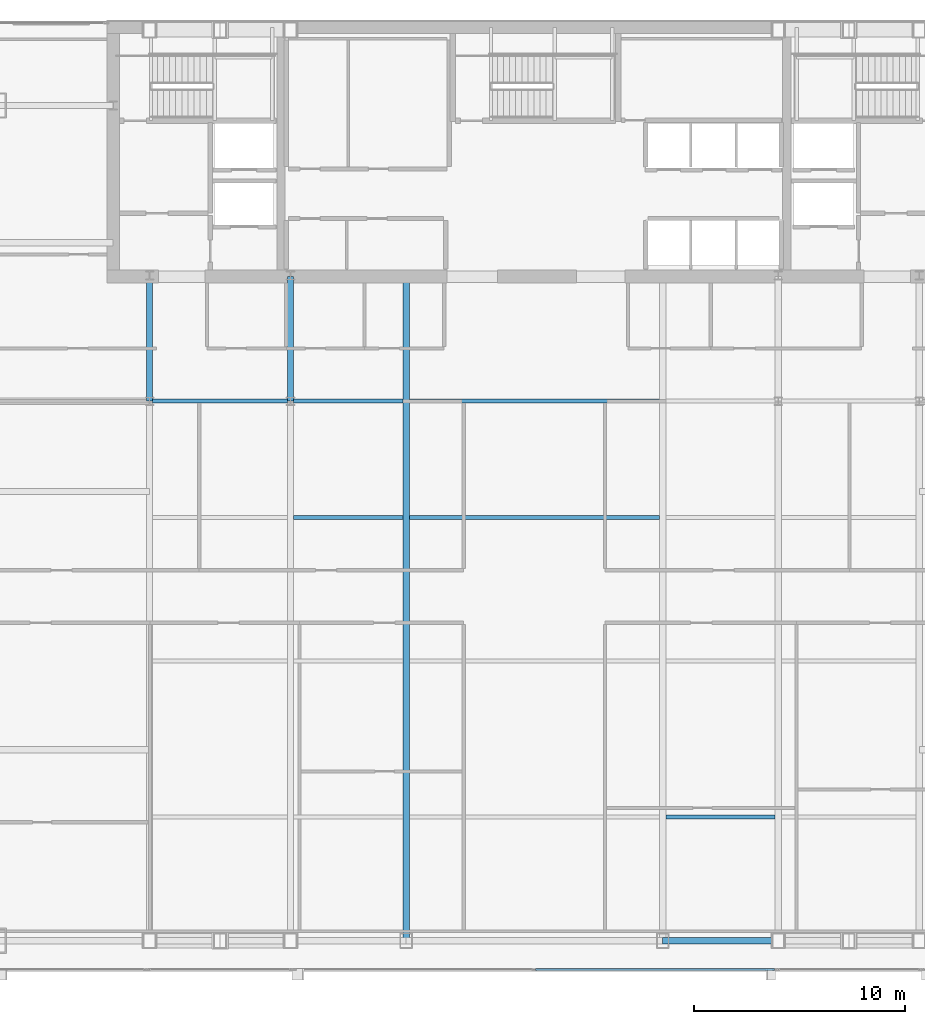
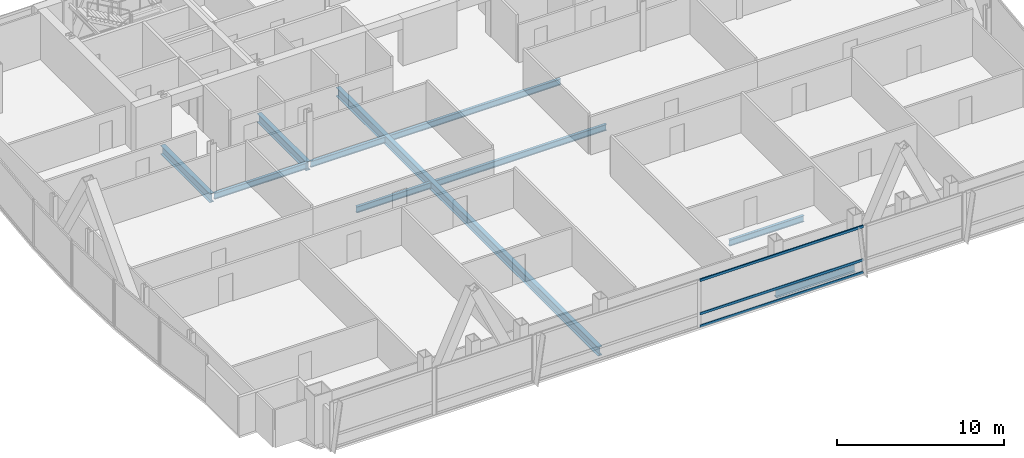
# One storey, part 13 of 32: 10 beams, 3 members, 1 element without a shape of its own.
"""IFC4 building model written with IfcOpenShell, lengths in metres."""

from ifc_helpers import new_model, si_unit, direction, frame, origin, origin_2d, place, context, subcontext, project, spatial, hollow_rectangle, i_section, extrude, material, material_profile, profile_set, type_object, element, aggregate, save


model = new_model("IFC4")

# Units and contexts
model_context = context("Model", 3, precision=1e-05, world=origin(), true_north=direction((0.0, 1.0)))
body_context = subcontext(model_context, "Body", "Model", "MODEL_VIEW")
ifc_project = project(units=[si_unit("LENGTHUNIT", "METRE"), si_unit("AREAUNIT", "SQUARE_METRE"), si_unit("VOLUMEUNIT", "CUBIC_METRE"), si_unit("PLANEANGLEUNIT", "RADIAN"), si_unit("MASSUNIT", "GRAM", prefix="KILO")], contexts=[model_context])

# Site, building, storey
site_placement = place(None, origin())
site = spatial("IfcSite", under=ifc_project, at=site_placement, CompositionType="ELEMENT")
building_placement = place(site_placement, origin())
building = spatial("IfcBuilding", under=site, at=building_placement, Name="Khoronbel Lancet Exchange", CompositionType="ELEMENT")
storey_placement = place(building_placement, frame((0.0, 0.0, 231.800048828125)))
storey = spatial("IfcBuildingStorey", under=building, at=storey_placement, Name="L59", CompositionType="ELEMENT", Elevation=231.800048828125)

# Beams
ifc_material_1 = material(Name="Steel S355", Category="steel")
ifc_material_profile_1 = material_profile(ifc_material_1, i_section(OverallWidth=0.300048828125, OverallDepth=0.64990234375, WebThickness=0.01611328125, FlangeThickness=0.031005859375, at=origin_2d()), Name="HEB 650")
ifc_profile_set_1 = profile_set([ifc_material_profile_1], Name="Steel S355")
beam_type_1 = type_object("IfcBeamType", Name="BM-BG4", PredefinedType="BEAM", material=ifc_profile_set_1)
for number, where, z_axis, x_axis, name in (
    (1, (18.22509765625, 35.699951171875, -0.485107421875), (0.0, 1.0, 0.0), (-1.0, 0.0, 0.0), "Level L59 spine tie girder GN1"),
    (2, (24.89990234375, 35.699951171875, -0.485107421875), (0.0, 1.0, 0.0), (-1.0, 0.0, 0.0), "Level L59 spine tie girder GN2"),
):
    element("IfcBeam", number, at=place(storey_placement, frame(where, z_axis=z_axis, x_axis=x_axis)), inside=storey, type_object=beam_type_1, Name=name, PredefinedType="BEAM", context=body_context, shape_type="SweptSolid", body=[
        extrude(i_section(OverallWidth=0.300048828125, OverallDepth=0.64990234375, WebThickness=0.01611328125, FlangeThickness=0.031005859375, at=origin_2d()), origin(), (0.0, 0.0, 1.0), 5.900146484375),
    ])
beam_1_placement = place(storey_placement, frame((30.375, 10.14990234375, -0.485107421875), z_axis=(0.0, 1.0, 0.0), x_axis=(-1.0, 0.0, 0.0)))
element("IfcBeam", 3, at=beam_1_placement, inside=storey, type_object=beam_type_1, Name="Level L59 primary floor girder G3", PredefinedType="BEAM", context=body_context, shape_type="SweptSolid", body=[
    extrude(i_section(OverallWidth=0.300048828125, OverallDepth=0.64990234375, WebThickness=0.01611328125, FlangeThickness=0.031005859375, at=origin_2d()), origin(), (0.0, 0.0, 1.0), 31.4501953125),
])
ifc_material_profile_2 = material_profile(ifc_material_1, i_section(OverallWidth=0.18994140625, OverallDepth=0.449951171875, WebThickness=0.009521484375, FlangeThickness=0.0146484375, at=origin_2d()), Name="IPE 450")
ifc_profile_set_2 = profile_set([ifc_material_profile_2], Name="Steel S355")
beam_type_2 = type_object("IfcBeamType", Name="BM-BJ4", PredefinedType="JOIST", material=ifc_profile_set_2)
for number, where, z_axis, x_axis, name in (
    (4, (42.675048828125, 16.0, -0.385009765625), (1.0, 0.0, 0.0), (0.0, 1.0, 0.0), "Level L59 secondary composite joist J04"),
    (5, (25.050048828125, 30.199951171875, -0.385009765625), (1.0, 0.0, 0.0), (0.0, 1.0, 0.0), "Level L59 secondary composite joist J12"),
):
    element("IfcBeam", number, at=place(storey_placement, frame(where, z_axis=z_axis, x_axis=x_axis)), inside=storey, type_object=beam_type_2, Name=name, PredefinedType="JOIST", context=body_context, shape_type="SweptSolid", body=[
        extrude(i_section(OverallWidth=0.18994140625, OverallDepth=0.449951171875, WebThickness=0.009521484375, FlangeThickness=0.0146484375, at=origin_2d()), origin(), (0.0, 0.0, 1.0), 5.175048828125),
    ])
beam_2_placement = place(storey_placement, frame((30.52490234375, 30.199951171875, -0.385009765625), z_axis=(1.0, 0.0, 0.0), x_axis=(0.0, 1.0, 0.0)))
element("IfcBeam", 6, at=beam_2_placement, inside=storey, type_object=beam_type_2, Name="Level L59 secondary composite joist J13", PredefinedType="JOIST", context=body_context, shape_type="SweptSolid", body=[
    extrude(i_section(OverallWidth=0.18994140625, OverallDepth=0.449951171875, WebThickness=0.009521484375, FlangeThickness=0.0146484375, at=origin_2d()), origin(), (0.0, 0.0, 1.0), 11.85009765625),
])
beam_3_placement = place(storey_placement, frame((18.375, 35.699951171875, -0.385009765625), z_axis=(1.0, 0.0, 0.0), x_axis=(0.0, 1.0, 0.0)))
element("IfcBeam", 7, at=beam_3_placement, inside=storey, type_object=beam_type_2, Name="Level L59 secondary composite joist J16", PredefinedType="JOIST", context=body_context, shape_type="SweptSolid", body=[
    extrude(i_section(OverallWidth=0.18994140625, OverallDepth=0.449951171875, WebThickness=0.009521484375, FlangeThickness=0.0146484375, at=origin_2d()), origin(), (0.0, 0.0, 1.0), 6.375),
])
beam_4_placement = place(storey_placement, frame((25.050048828125, 35.699951171875, -0.385009765625), z_axis=(1.0, 0.0, 0.0), x_axis=(0.0, 1.0, 0.0)))
element("IfcBeam", 8, at=beam_4_placement, inside=storey, type_object=beam_type_2, Name="Level L59 secondary composite joist J17", PredefinedType="JOIST", context=body_context, shape_type="SweptSolid", body=[
    extrude(i_section(OverallWidth=0.18994140625, OverallDepth=0.449951171875, WebThickness=0.009521484375, FlangeThickness=0.0146484375, at=origin_2d()), origin(), (0.0, 0.0, 1.0), 5.175048828125),
])
beam_5_placement = place(storey_placement, frame((30.52490234375, 35.699951171875, -0.385009765625), z_axis=(1.0, 0.0, 0.0), x_axis=(0.0, 1.0, 0.0)))
element("IfcBeam", 9, at=beam_5_placement, inside=storey, type_object=beam_type_2, Name="Level L59 secondary composite joist J18", PredefinedType="JOIST", context=body_context, shape_type="SweptSolid", body=[
    extrude(i_section(OverallWidth=0.18994140625, OverallDepth=0.449951171875, WebThickness=0.009521484375, FlangeThickness=0.0146484375, at=origin_2d()), origin(), (0.0, 0.0, 1.0), 11.85009765625),
])
ifc_material_profile_3 = material_profile(ifc_material_1, i_section(OverallWidth=0.300048828125, OverallDepth=0.60009765625, WebThickness=0.015380859375, FlangeThickness=0.030029296875, at=origin_2d()), Name="HEB 600")
ifc_profile_set_3 = profile_set([ifc_material_profile_3], Name="Steel S355")
beam_type_3 = type_object("IfcBeamType", Name="BM-BSP2", PredefinedType="SPANDREL", material=ifc_profile_set_3)
beam_6_placement = place(storey_placement, frame((42.52490234375, 10.14990234375, -0.4599609375), z_axis=(1.0, 0.0, 0.0), x_axis=(0.0, 1.0, 0.0)))
element("IfcBeam", 10, at=beam_6_placement, inside=storey, type_object=beam_type_3, Name="Level L59 perimeter spandrel beam SP06", PredefinedType="SPANDREL", context=body_context, shape_type="SweptSolid", body=[
    extrude(i_section(OverallWidth=0.300048828125, OverallDepth=0.60009765625, WebThickness=0.015380859375, FlangeThickness=0.030029296875, at=origin_2d()), origin(), (0.0, 0.0, 1.0), 5.47509765625),
])

# Curtain wall, members
ifc_material_2 = material(Name="Low-E Solar Control Insulating Glass", Category="glass")
curtain_wall_type = type_object("IfcCurtainWallType", Name="CW-3", PredefinedType="NOTDEFINED", material=ifc_material_2)
curtain_wall_placement = place(storey_placement, origin())
curtain_wall = element("IfcCurtainWall", 11, at=curtain_wall_placement, inside=storey, type_object=curtain_wall_type, Name="Unitised curtain wall CW-L59-SCV", PredefinedType="NOTDEFINED")
ifc_material_3 = material(Name="Bronze-Anodised Aluminium 6063-T6", Category="aluminium")
ifc_material_profile_4 = material_profile(ifc_material_3, hollow_rectangle(XDim=0.0849609375, YDim=0.179931640625, WallThickness=0.0048828125, at=origin_2d()), Name="ALU TRANSOM 85x180")
ifc_profile_set_4 = profile_set([ifc_material_profile_4], Name="Bronze-Anodised Aluminium 6063-T6")
member_type = type_object("IfcMemberType", Name="MEM-CWT1", PredefinedType="USERDEFINED", material=ifc_profile_set_4)
member_1_placement = place(storey_placement, frame((36.492431640625, 8.7900390625, 0.04248046875), z_axis=(1.0, 0.0, 0.0), x_axis=(0.0, 1.0, 0.0)))
member_1 = element("IfcMember", 12, at=member_1_placement, type_object=member_type, Name="CW3 transom 2.1", ObjectType="TRANSOM", PredefinedType="USERDEFINED", context=body_context, shape_type="SweptSolid", body=[
    extrude(hollow_rectangle(XDim=0.0849609375, YDim=0.179931640625, WallThickness=0.0048828125, at=origin_2d()), origin(), (0.0, 0.0, 1.0), 11.322509765625),
])
member_2_placement = place(storey_placement, frame((36.492431640625, 8.7900390625, 0.949951171875), z_axis=(1.0, 0.0, 0.0), x_axis=(0.0, 1.0, 0.0)))
member_2 = element("IfcMember", 13, at=member_2_placement, type_object=member_type, Name="CW3 transom 2.2", ObjectType="TRANSOM", PredefinedType="USERDEFINED", context=body_context, shape_type="SweptSolid", body=[
    extrude(hollow_rectangle(XDim=0.0849609375, YDim=0.179931640625, WallThickness=0.0048828125, at=origin_2d()), origin(), (0.0, 0.0, 1.0), 11.322509765625),
])
member_3_placement = place(storey_placement, frame((36.492431640625, 8.7900390625, 3.3974609375), z_axis=(1.0, 0.0, 0.0), x_axis=(0.0, 1.0, 0.0)))
member_3 = element("IfcMember", 14, at=member_3_placement, type_object=member_type, Name="CW3 transom 2.3", ObjectType="TRANSOM", PredefinedType="USERDEFINED", context=body_context, shape_type="SweptSolid", body=[
    extrude(hollow_rectangle(XDim=0.0849609375, YDim=0.179931640625, WallThickness=0.0048828125, at=origin_2d()), origin(), (0.0, 0.0, 1.0), 11.322509765625),
])
aggregate(curtain_wall, [member_1, member_2, member_3])

save(model, "model.ifc")
